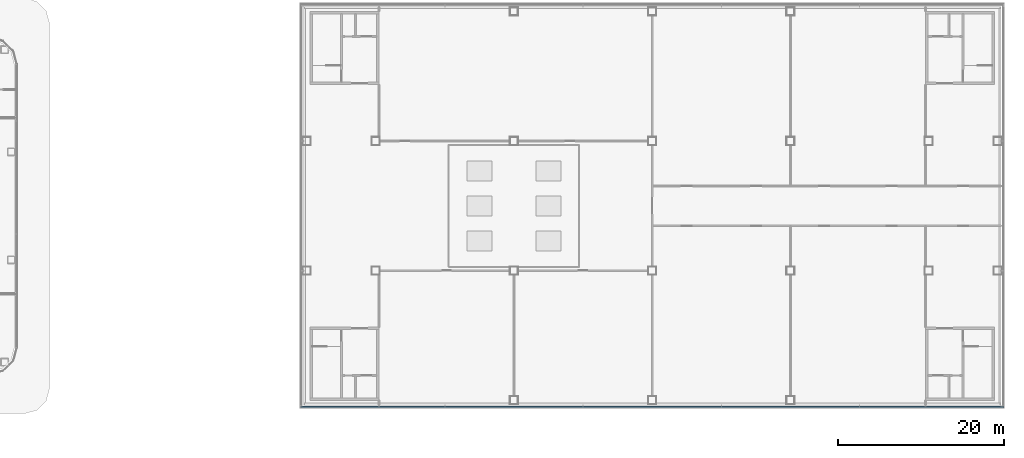
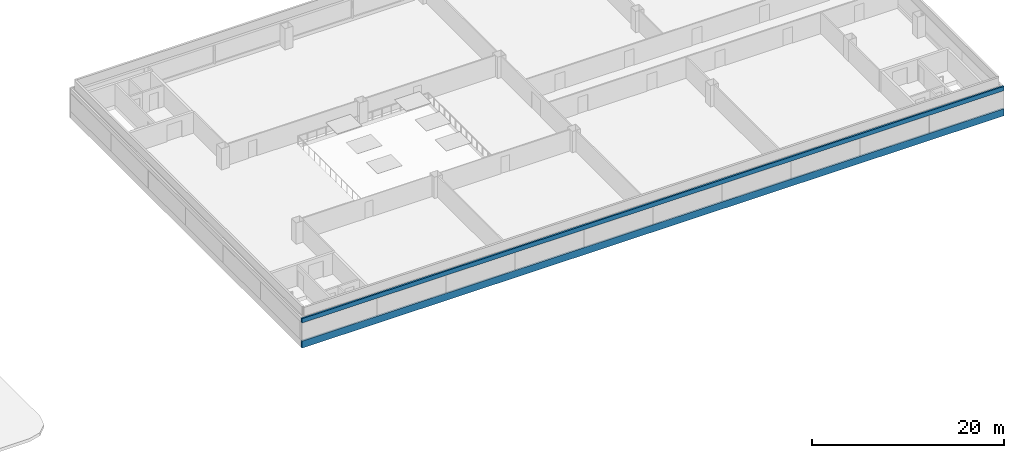
# One storey, part 14 of 42: 2 members, 1 element without a shape of its own.
"""IFC4 building model written with IfcOpenShell, lengths in metres."""

from ifc_helpers import new_model, si_unit, direction, frame, origin, origin_2d, place, context, subcontext, project, spatial, rectangle, extrude, material, layer, layer_set, material_profile, profile_set, type_object, element, aggregate, save


model = new_model("IFC4")

# Units and contexts
model_context = context("Model", 3, precision=1e-05, world=origin(), true_north=direction((0.0, 1.0)))
body_context = subcontext(model_context, "Body", "Model", "MODEL_VIEW")
ifc_project = project(units=[si_unit("LENGTHUNIT", "METRE"), si_unit("AREAUNIT", "SQUARE_METRE"), si_unit("VOLUMEUNIT", "CUBIC_METRE"), si_unit("PLANEANGLEUNIT", "RADIAN"), si_unit("MASSUNIT", "GRAM", prefix="KILO")], contexts=[model_context])

# Site, building, storey
site_placement = place(None, origin())
site = spatial("IfcSite", under=ifc_project, at=site_placement, CompositionType="ELEMENT")
building_placement = place(site_placement, origin())
building = spatial("IfcBuilding", under=site, at=building_placement, Name="Hakoniwa Tower and Hamabe Station Hall", CompositionType="ELEMENT")
storey_placement = place(building_placement, frame((0.0, 0.0, 19.800048828125)))
storey = spatial("IfcBuildingStorey", under=building, at=storey_placement, Name="L04", CompositionType="ELEMENT", Elevation=19.800048828125)

# Curtain wall, members
ifc_material_1 = material(Name="Dark low-e laminated glass", Category="glass")
ifc_layer = layer(ifc_material_1, 0.199951171875)
ifc_layer_set = layer_set([ifc_layer], Name="CW-7 STATION")
curtain_wall_type = type_object("IfcCurtainWallType", Name="CW-7 STATION", PredefinedType="NOTDEFINED", material=ifc_layer_set)
curtain_wall_placement = place(storey_placement, origin())
curtain_wall = element("IfcCurtainWall", 1, at=curtain_wall_placement, inside=storey, type_object=curtain_wall_type, Name="Station curtain wall L04 south", PredefinedType="NOTDEFINED")
ifc_material_2 = material(Name="Aluminium 6063-T5 black anodised", Category="aluminium")
ifc_material_profile_1 = material_profile(ifc_material_2, rectangle(XDim=0.199951171875, YDim=0.550048828125, at=origin_2d()), Name="CW HEAD BAND 550X200")
ifc_profile_set_1 = profile_set([ifc_material_profile_1], Name="Aluminium 6063-T5 black anodised")
member_type_1 = type_object("IfcMemberType", Name="CW HEAD BAND 550X200", PredefinedType="USERDEFINED", material=ifc_profile_set_1)
member_1_placement = place(storey_placement, frame((85.25, -24.199951171875, 2.925048828125), z_axis=(1.0, 0.0, 0.0), x_axis=(0.0, 1.0, 0.0)))
member_1 = element("IfcMember", 2, at=member_1_placement, type_object=member_type_1, Name="CW-7 transom", ObjectType="TRANSOM", PredefinedType="USERDEFINED", context=body_context, shape_type="SweptSolid", body=[
    extrude(rectangle(XDim=0.199951171875, YDim=0.550048828125, at=origin_2d()), origin(), (0.0, 0.0, 1.0), 84.60009765625),
])
ifc_material_3 = material(Name="Aluminium 6063-T5 black anodised", Category="aluminium")
ifc_material_profile_2 = material_profile(ifc_material_3, rectangle(XDim=0.199951171875, YDim=0.89990234375, at=origin_2d()), Name="CW SLAB-EDGE BAND 900X200")
ifc_profile_set_2 = profile_set([ifc_material_profile_2], Name="Aluminium 6063-T5 black anodised")
member_type_2 = type_object("IfcMemberType", Name="CW SLAB-EDGE BAND 900X200", PredefinedType="USERDEFINED", material=ifc_profile_set_2)
member_2_placement = place(storey_placement, frame((85.25, -24.199951171875, -0.10009765625), z_axis=(1.0, 0.0, 0.0), x_axis=(0.0, 1.0, 0.0)))
member_2 = element("IfcMember", 3, at=member_2_placement, type_object=member_type_2, Name="CW-7 transom", ObjectType="TRANSOM", PredefinedType="USERDEFINED", context=body_context, shape_type="SweptSolid", body=[
    extrude(rectangle(XDim=0.199951171875, YDim=0.89990234375, at=origin_2d()), origin(), (0.0, 0.0, 1.0), 84.60009765625),
])
aggregate(curtain_wall, [member_2, member_1])

save(model, "model.ifc")
